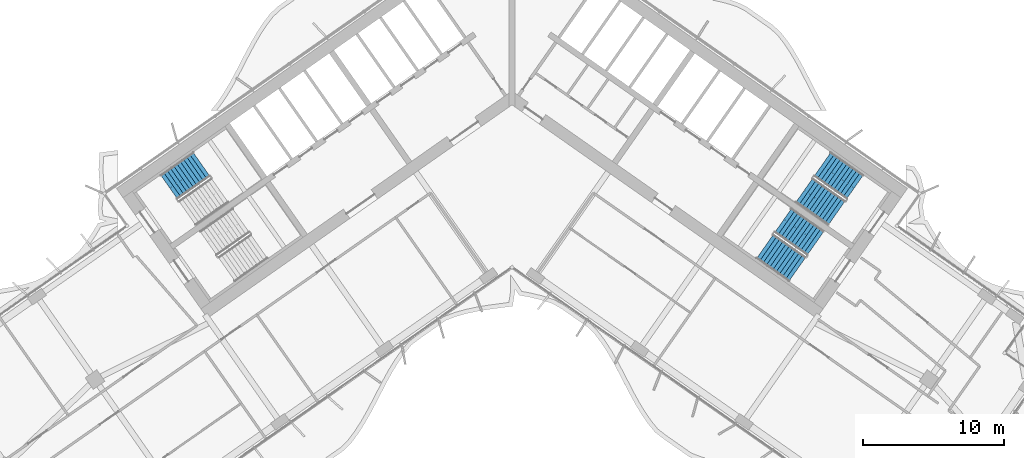
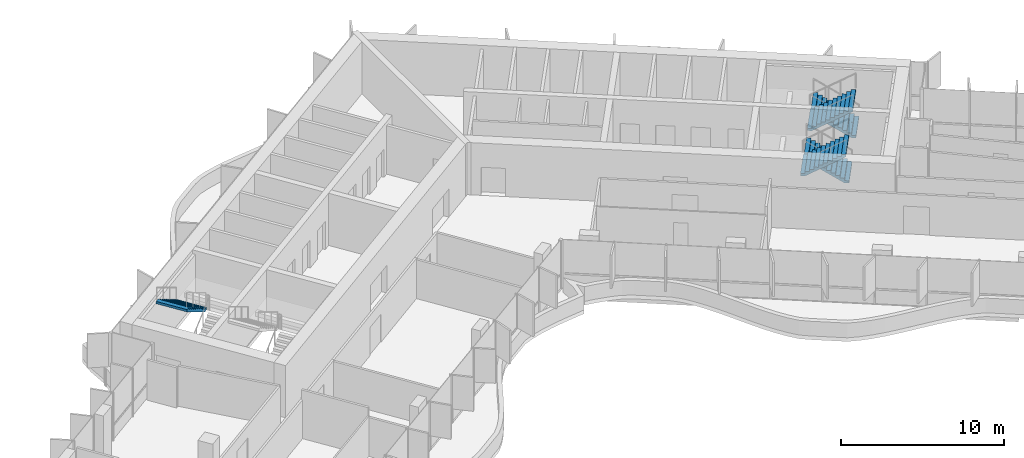
# One storey, part 16 of 21: 5 stair flights, 3 elements without a shape of their own.
"""IFC4 building model written with IfcOpenShell, lengths in metres."""

from ifc_helpers import new_model, si_unit, direction, frame, origin, place, context, subcontext, project, spatial, polyline, outline, extrude, material, type_object, element, aggregate, save


model = new_model("IFC4")

# Units and contexts
model_context = context("Model", 3, precision=1e-05, world=origin(), true_north=direction((0.0, 1.0)))
body_context = subcontext(model_context, "Body", "Model", "MODEL_VIEW")
ifc_project = project(units=[si_unit("LENGTHUNIT", "METRE"), si_unit("AREAUNIT", "SQUARE_METRE"), si_unit("VOLUMEUNIT", "CUBIC_METRE"), si_unit("PLANEANGLEUNIT", "RADIAN"), si_unit("MASSUNIT", "GRAM", prefix="KILO")], contexts=[model_context])

# Site, building, storey
site_placement = place(None, origin())
site = spatial("IfcSite", under=ifc_project, at=site_placement, CompositionType="ELEMENT")
building_placement = place(site_placement, origin())
building = spatial("IfcBuilding", under=site, at=building_placement, Name="Tel Ilan Convention Tower", CompositionType="ELEMENT")
storey_placement = place(building_placement, frame((0.0, 0.0, 147.60009765625)))
storey = spatial("IfcBuildingStorey", under=building, at=storey_placement, Name="L33", CompositionType="ELEMENT", Elevation=147.60009765625)

# Stair, stair flight
ifc_material_1 = material(Name="Concrete C40/50", Category="concrete")
stair_type = type_object("IfcStairType", Name="Pressurised Exit Stair 22 risers 177 mm", PredefinedType="HALF_TURN_STAIR", material=ifc_material_1)
stair_1_placement = place(storey_placement, origin())
stair_1 = element("IfcStair", 1, at=stair_1_placement, inside=storey, type_object=stair_type, Name="L33 Pressurised Stair S1", PredefinedType="HALF_TURN_STAIR")
ifc_material_2 = material(Name="Precast Concrete C40/50", Category="concrete")
stair_flight_type = type_object("IfcStairFlightType", Name="Concrete Stair Flight 2100 mm 22 risers 177 mm", PredefinedType="STRAIGHT", material=ifc_material_2)
stair_flight_1_placement = place(storey_placement, frame((-21.958740234375, -5.42626953125, 1.949951171875), z_axis=(0.0, 0.0, 1.0), x_axis=(-0.819152044289, -0.573576436351, 0.0)))
stair_flight_1 = element("IfcStairFlight", 2, at=stair_flight_1_placement, type_object=stair_flight_type, Name="S1 flight 2", NumberOfRisers=11, NumberOfTreads=10, PredefinedType="STRAIGHT", RiserHeight=0.177272727, TreadLength=0.28, context=body_context, shape_type="SweptSolid", body=[
    extrude(outline(polyline([(0.0, 0.0), (0.0, 0.17724609375), (0.280029296875, 0.17724609375), (0.280029296875, 0.3544921875), (0.56005859375, 0.3544921875), (0.56005859375, 0.53173828125), (0.840087890625, 0.53173828125), (0.840087890625, 0.708984375), (1.1201171875, 0.708984375), (1.1201171875, 0.886474609375), (1.39990234375, 0.886474609375), (1.39990234375, 1.063720703125), (1.679931640625, 1.063720703125), (1.679931640625, 1.240966796875), (1.9599609375, 1.240966796875), (1.9599609375, 1.418212890625), (2.239990234375, 1.418212890625), (2.239990234375, 1.595458984375), (2.52001953125, 1.595458984375), (2.52001953125, 1.772705078125), (2.800048828125, 1.772705078125), (2.800048828125, 1.949951171875), (2.800048828125, 1.59521484375), (0.2802734375, 0.0), (0.0, 0.0)])), frame((0.0, -0.100341796875, 0.0), z_axis=(0.0, -1.0, 0.0), x_axis=(1.0, 0.0, 0.0)), (0.0, 0.0, 1.0), 0.94970703125),
    extrude(outline(polyline([(0.0, 0.0), (0.0, 0.17724609375), (0.280029296875, 0.17724609375), (0.280029296875, 0.3544921875), (0.56005859375, 0.3544921875), (0.56005859375, 0.53173828125), (0.840087890625, 0.53173828125), (0.840087890625, 0.708984375), (1.1201171875, 0.708984375), (1.1201171875, 0.886474609375), (1.39990234375, 0.886474609375), (1.39990234375, 1.063720703125), (1.679931640625, 1.063720703125), (1.679931640625, 1.240966796875), (1.9599609375, 1.240966796875), (1.9599609375, 1.418212890625), (2.239990234375, 1.418212890625), (2.239990234375, 1.595458984375), (2.52001953125, 1.595458984375), (2.52001953125, 1.772705078125), (2.800048828125, 1.772705078125), (2.800048828125, 1.949951171875), (2.800048828125, 1.59521484375), (0.2802734375, 0.0), (0.0, 0.0)])), frame((0.0, -0.000244140625, 0.0), z_axis=(0.0, -1.0, 0.0), x_axis=(1.0, 0.0, 0.0)), (0.0, 0.0, 1.0), 0.099609375),
    extrude(outline(polyline([(0.0, 0.0), (0.0, 0.17724609375), (0.280029296875, 0.17724609375), (0.280029296875, 0.3544921875), (0.56005859375, 0.3544921875), (0.56005859375, 0.53173828125), (0.840087890625, 0.53173828125), (0.840087890625, 0.708984375), (1.1201171875, 0.708984375), (1.1201171875, 0.886474609375), (1.39990234375, 0.886474609375), (1.39990234375, 1.063720703125), (1.679931640625, 1.063720703125), (1.679931640625, 1.240966796875), (1.9599609375, 1.240966796875), (1.9599609375, 1.418212890625), (2.239990234375, 1.418212890625), (2.239990234375, 1.595458984375), (2.52001953125, 1.595458984375), (2.52001953125, 1.772705078125), (2.800048828125, 1.772705078125), (2.800048828125, 1.949951171875), (2.800048828125, 1.59521484375), (0.2802734375, 0.0), (0.0, 0.0)])), frame((0.0, 0.099853515625, 0.0), z_axis=(0.0, -1.0, 0.0), x_axis=(1.0, 0.0, 0.0)), (0.0, 0.0, 1.0), 0.099609375),
    extrude(outline(polyline([(0.0, 0.0), (0.0, 0.17724609375), (0.280029296875, 0.17724609375), (0.280029296875, 0.3544921875), (0.56005859375, 0.3544921875), (0.56005859375, 0.53173828125), (0.840087890625, 0.53173828125), (0.840087890625, 0.708984375), (1.1201171875, 0.708984375), (1.1201171875, 0.886474609375), (1.39990234375, 0.886474609375), (1.39990234375, 1.063720703125), (1.679931640625, 1.063720703125), (1.679931640625, 1.240966796875), (1.9599609375, 1.240966796875), (1.9599609375, 1.418212890625), (2.239990234375, 1.418212890625), (2.239990234375, 1.595458984375), (2.52001953125, 1.595458984375), (2.52001953125, 1.772705078125), (2.800048828125, 1.772705078125), (2.800048828125, 1.949951171875), (2.800048828125, 1.59521484375), (0.2802734375, 0.0), (0.0, 0.0)])), frame((0.0, 1.050048828125, 0.0), z_axis=(0.0, -1.0, 0.0), x_axis=(1.0, 0.0, 0.0)), (0.0, 0.0, 1.0), 0.94970703125),
])
aggregate(stair_1, [stair_flight_1])

# Stair, stair flights
stair_2_placement = place(storey_placement, origin())
stair_2 = element("IfcStair", 3, at=stair_2_placement, inside=storey, type_object=stair_type, Name="L33 Pressurised Stair S3", PredefinedType="HALF_TURN_STAIR")
stair_flight_2_placement = place(storey_placement, frame((24.25244140625, -7.032470703125, 0.0), z_axis=(0.0, 0.0, 1.0), x_axis=(-0.819152044289, 0.573576436351, 0.0)))
stair_flight_2 = element("IfcStairFlight", 4, at=stair_flight_2_placement, type_object=stair_flight_type, Name="S3 flight 1", NumberOfRisers=11, NumberOfTreads=10, PredefinedType="STRAIGHT", RiserHeight=0.177272727, TreadLength=0.28, context=body_context, shape_type="SweptSolid", body=[
    extrude(outline(polyline([(0.0, 0.0), (0.0, 0.17724609375), (0.280029296875, 0.17724609375), (0.280029296875, 0.3544921875), (0.56005859375, 0.3544921875), (0.56005859375, 0.53173828125), (0.840087890625, 0.53173828125), (0.840087890625, 0.708984375), (1.1201171875, 0.708984375), (1.1201171875, 0.886474609375), (1.39990234375, 0.886474609375), (1.39990234375, 1.063720703125), (1.679931640625, 1.063720703125), (1.679931640625, 1.240966796875), (1.9599609375, 1.240966796875), (1.9599609375, 1.418212890625), (2.239990234375, 1.418212890625), (2.239990234375, 1.595458984375), (2.52001953125, 1.595458984375), (2.52001953125, 1.772705078125), (2.800048828125, 1.772705078125), (2.800048828125, 1.949951171875), (2.800048828125, 1.59521484375), (0.2802734375, 0.0), (0.0, 0.0)])), frame((0.0, -0.100341796875, 0.0), z_axis=(0.0, -1.0, 0.0), x_axis=(1.0, 0.0, 0.0)), (0.0, 0.0, 1.0), 0.94970703125),
    extrude(outline(polyline([(0.0, 0.0), (0.0, 0.17724609375), (0.280029296875, 0.17724609375), (0.280029296875, 0.3544921875), (0.56005859375, 0.3544921875), (0.56005859375, 0.53173828125), (0.840087890625, 0.53173828125), (0.840087890625, 0.708984375), (1.1201171875, 0.708984375), (1.1201171875, 0.886474609375), (1.39990234375, 0.886474609375), (1.39990234375, 1.063720703125), (1.679931640625, 1.063720703125), (1.679931640625, 1.240966796875), (1.9599609375, 1.240966796875), (1.9599609375, 1.418212890625), (2.239990234375, 1.418212890625), (2.239990234375, 1.595458984375), (2.52001953125, 1.595458984375), (2.52001953125, 1.772705078125), (2.800048828125, 1.772705078125), (2.800048828125, 1.949951171875), (2.800048828125, 1.59521484375), (0.2802734375, 0.0), (0.0, 0.0)])), frame((0.0, -0.000244140625, 0.0), z_axis=(0.0, -1.0, 0.0), x_axis=(1.0, 0.0, 0.0)), (0.0, 0.0, 1.0), 0.099609375),
    extrude(outline(polyline([(0.0, 0.0), (0.0, 0.17724609375), (0.280029296875, 0.17724609375), (0.280029296875, 0.3544921875), (0.56005859375, 0.3544921875), (0.56005859375, 0.53173828125), (0.840087890625, 0.53173828125), (0.840087890625, 0.708984375), (1.1201171875, 0.708984375), (1.1201171875, 0.886474609375), (1.39990234375, 0.886474609375), (1.39990234375, 1.063720703125), (1.679931640625, 1.063720703125), (1.679931640625, 1.240966796875), (1.9599609375, 1.240966796875), (1.9599609375, 1.418212890625), (2.239990234375, 1.418212890625), (2.239990234375, 1.595458984375), (2.52001953125, 1.595458984375), (2.52001953125, 1.772705078125), (2.800048828125, 1.772705078125), (2.800048828125, 1.949951171875), (2.800048828125, 1.59521484375), (0.2802734375, 0.0), (0.0, 0.0)])), frame((0.0, 0.099853515625, 0.0), z_axis=(0.0, -1.0, 0.0), x_axis=(1.0, 0.0, 0.0)), (0.0, 0.0, 1.0), 0.099609375),
    extrude(outline(polyline([(0.0, 0.0), (0.0, 0.17724609375), (0.280029296875, 0.17724609375), (0.280029296875, 0.3544921875), (0.56005859375, 0.3544921875), (0.56005859375, 0.53173828125), (0.840087890625, 0.53173828125), (0.840087890625, 0.708984375), (1.1201171875, 0.708984375), (1.1201171875, 0.886474609375), (1.39990234375, 0.886474609375), (1.39990234375, 1.063720703125), (1.679931640625, 1.063720703125), (1.679931640625, 1.240966796875), (1.9599609375, 1.240966796875), (1.9599609375, 1.418212890625), (2.239990234375, 1.418212890625), (2.239990234375, 1.595458984375), (2.52001953125, 1.595458984375), (2.52001953125, 1.772705078125), (2.800048828125, 1.772705078125), (2.800048828125, 1.949951171875), (2.800048828125, 1.59521484375), (0.2802734375, 0.0), (0.0, 0.0)])), frame((0.0, 1.050048828125, 0.0), z_axis=(0.0, -1.0, 0.0), x_axis=(1.0, 0.0, 0.0)), (0.0, 0.0, 1.0), 0.94970703125),
])
stair_flight_3_placement = place(storey_placement, frame((20.668212890625, -7.26953125, 1.949951171875), z_axis=(0.0, 0.0, 1.0), x_axis=(0.819152044289, -0.573576436351, 0.0)))
stair_flight_3 = element("IfcStairFlight", 5, at=stair_flight_3_placement, type_object=stair_flight_type, Name="S3 flight 2", NumberOfRisers=11, NumberOfTreads=10, PredefinedType="STRAIGHT", RiserHeight=0.177272727, TreadLength=0.28, context=body_context, shape_type="SweptSolid", body=[
    extrude(outline(polyline([(0.0, 0.0), (0.0, 0.17724609375), (0.280029296875, 0.17724609375), (0.280029296875, 0.3544921875), (0.56005859375, 0.3544921875), (0.56005859375, 0.53173828125), (0.840087890625, 0.53173828125), (0.840087890625, 0.708984375), (1.1201171875, 0.708984375), (1.1201171875, 0.886474609375), (1.39990234375, 0.886474609375), (1.39990234375, 1.063720703125), (1.679931640625, 1.063720703125), (1.679931640625, 1.240966796875), (1.9599609375, 1.240966796875), (1.9599609375, 1.418212890625), (2.239990234375, 1.418212890625), (2.239990234375, 1.595458984375), (2.52001953125, 1.595458984375), (2.52001953125, 1.772705078125), (2.800048828125, 1.772705078125), (2.800048828125, 1.949951171875), (2.800048828125, 1.59521484375), (0.2802734375, 0.0), (0.0, 0.0)])), frame((0.0, -0.100341796875, 0.0), z_axis=(0.0, -1.0, 0.0), x_axis=(1.0, 0.0, 0.0)), (0.0, 0.0, 1.0), 0.94970703125),
    extrude(outline(polyline([(0.0, 0.0), (0.0, 0.17724609375), (0.280029296875, 0.17724609375), (0.280029296875, 0.3544921875), (0.56005859375, 0.3544921875), (0.56005859375, 0.53173828125), (0.840087890625, 0.53173828125), (0.840087890625, 0.708984375), (1.1201171875, 0.708984375), (1.1201171875, 0.886474609375), (1.39990234375, 0.886474609375), (1.39990234375, 1.063720703125), (1.679931640625, 1.063720703125), (1.679931640625, 1.240966796875), (1.9599609375, 1.240966796875), (1.9599609375, 1.418212890625), (2.239990234375, 1.418212890625), (2.239990234375, 1.595458984375), (2.52001953125, 1.595458984375), (2.52001953125, 1.772705078125), (2.800048828125, 1.772705078125), (2.800048828125, 1.949951171875), (2.800048828125, 1.59521484375), (0.2802734375, 0.0), (0.0, 0.0)])), frame((0.0, -0.000244140625, 0.0), z_axis=(0.0, -1.0, 0.0), x_axis=(1.0, 0.0, 0.0)), (0.0, 0.0, 1.0), 0.099609375),
    extrude(outline(polyline([(0.0, 0.0), (0.0, 0.17724609375), (0.280029296875, 0.17724609375), (0.280029296875, 0.3544921875), (0.56005859375, 0.3544921875), (0.56005859375, 0.53173828125), (0.840087890625, 0.53173828125), (0.840087890625, 0.708984375), (1.1201171875, 0.708984375), (1.1201171875, 0.886474609375), (1.39990234375, 0.886474609375), (1.39990234375, 1.063720703125), (1.679931640625, 1.063720703125), (1.679931640625, 1.240966796875), (1.9599609375, 1.240966796875), (1.9599609375, 1.418212890625), (2.239990234375, 1.418212890625), (2.239990234375, 1.595458984375), (2.52001953125, 1.595458984375), (2.52001953125, 1.772705078125), (2.800048828125, 1.772705078125), (2.800048828125, 1.949951171875), (2.800048828125, 1.59521484375), (0.2802734375, 0.0), (0.0, 0.0)])), frame((0.0, 0.099853515625, 0.0), z_axis=(0.0, -1.0, 0.0), x_axis=(1.0, 0.0, 0.0)), (0.0, 0.0, 1.0), 0.099609375),
    extrude(outline(polyline([(0.0, 0.0), (0.0, 0.17724609375), (0.280029296875, 0.17724609375), (0.280029296875, 0.3544921875), (0.56005859375, 0.3544921875), (0.56005859375, 0.53173828125), (0.840087890625, 0.53173828125), (0.840087890625, 0.708984375), (1.1201171875, 0.708984375), (1.1201171875, 0.886474609375), (1.39990234375, 0.886474609375), (1.39990234375, 1.063720703125), (1.679931640625, 1.063720703125), (1.679931640625, 1.240966796875), (1.9599609375, 1.240966796875), (1.9599609375, 1.418212890625), (2.239990234375, 1.418212890625), (2.239990234375, 1.595458984375), (2.52001953125, 1.595458984375), (2.52001953125, 1.772705078125), (2.800048828125, 1.772705078125), (2.800048828125, 1.949951171875), (2.800048828125, 1.59521484375), (0.2802734375, 0.0), (0.0, 0.0)])), frame((0.0, 1.050048828125, 0.0), z_axis=(0.0, -1.0, 0.0), x_axis=(1.0, 0.0, 0.0)), (0.0, 0.0, 1.0), 0.94970703125),
])
aggregate(stair_2, [stair_flight_2, stair_flight_3])

stair_3_placement = place(storey_placement, origin())
stair_3 = element("IfcStair", 6, at=stair_3_placement, inside=storey, type_object=stair_type, Name="L33 Pressurised Stair S4", PredefinedType="HALF_TURN_STAIR")
stair_flight_4_placement = place(storey_placement, frame((21.470458984375, -11.00537109375, 0.0), z_axis=(0.0, 0.0, 1.0), x_axis=(-0.819152044289, 0.573576436351, 0.0)))
stair_flight_4 = element("IfcStairFlight", 7, at=stair_flight_4_placement, type_object=stair_flight_type, Name="S4 flight 1", NumberOfRisers=11, NumberOfTreads=10, PredefinedType="STRAIGHT", RiserHeight=0.177272727, TreadLength=0.28, context=body_context, shape_type="SweptSolid", body=[
    extrude(outline(polyline([(0.0, 0.0), (0.0, 0.17724609375), (0.280029296875, 0.17724609375), (0.280029296875, 0.3544921875), (0.56005859375, 0.3544921875), (0.56005859375, 0.53173828125), (0.840087890625, 0.53173828125), (0.840087890625, 0.708984375), (1.1201171875, 0.708984375), (1.1201171875, 0.886474609375), (1.39990234375, 0.886474609375), (1.39990234375, 1.063720703125), (1.679931640625, 1.063720703125), (1.679931640625, 1.240966796875), (1.9599609375, 1.240966796875), (1.9599609375, 1.418212890625), (2.239990234375, 1.418212890625), (2.239990234375, 1.595458984375), (2.52001953125, 1.595458984375), (2.52001953125, 1.772705078125), (2.800048828125, 1.772705078125), (2.800048828125, 1.949951171875), (2.800048828125, 1.59521484375), (0.2802734375, 0.0), (0.0, 0.0)])), frame((0.0, -0.100341796875, 0.0), z_axis=(0.0, -1.0, 0.0), x_axis=(1.0, 0.0, 0.0)), (0.0, 0.0, 1.0), 0.94970703125),
    extrude(outline(polyline([(0.0, 0.0), (0.0, 0.17724609375), (0.280029296875, 0.17724609375), (0.280029296875, 0.3544921875), (0.56005859375, 0.3544921875), (0.56005859375, 0.53173828125), (0.840087890625, 0.53173828125), (0.840087890625, 0.708984375), (1.1201171875, 0.708984375), (1.1201171875, 0.886474609375), (1.39990234375, 0.886474609375), (1.39990234375, 1.063720703125), (1.679931640625, 1.063720703125), (1.679931640625, 1.240966796875), (1.9599609375, 1.240966796875), (1.9599609375, 1.418212890625), (2.239990234375, 1.418212890625), (2.239990234375, 1.595458984375), (2.52001953125, 1.595458984375), (2.52001953125, 1.772705078125), (2.800048828125, 1.772705078125), (2.800048828125, 1.949951171875), (2.800048828125, 1.59521484375), (0.2802734375, 0.0), (0.0, 0.0)])), frame((0.0, -0.000244140625, 0.0), z_axis=(0.0, -1.0, 0.0), x_axis=(1.0, 0.0, 0.0)), (0.0, 0.0, 1.0), 0.099609375),
    extrude(outline(polyline([(0.0, 0.0), (0.0, 0.17724609375), (0.280029296875, 0.17724609375), (0.280029296875, 0.3544921875), (0.56005859375, 0.3544921875), (0.56005859375, 0.53173828125), (0.840087890625, 0.53173828125), (0.840087890625, 0.708984375), (1.1201171875, 0.708984375), (1.1201171875, 0.886474609375), (1.39990234375, 0.886474609375), (1.39990234375, 1.063720703125), (1.679931640625, 1.063720703125), (1.679931640625, 1.240966796875), (1.9599609375, 1.240966796875), (1.9599609375, 1.418212890625), (2.239990234375, 1.418212890625), (2.239990234375, 1.595458984375), (2.52001953125, 1.595458984375), (2.52001953125, 1.772705078125), (2.800048828125, 1.772705078125), (2.800048828125, 1.949951171875), (2.800048828125, 1.59521484375), (0.2802734375, 0.0), (0.0, 0.0)])), frame((0.0, 0.099853515625, 0.0), z_axis=(0.0, -1.0, 0.0), x_axis=(1.0, 0.0, 0.0)), (0.0, 0.0, 1.0), 0.099609375),
    extrude(outline(polyline([(0.0, 0.0), (0.0, 0.17724609375), (0.280029296875, 0.17724609375), (0.280029296875, 0.3544921875), (0.56005859375, 0.3544921875), (0.56005859375, 0.53173828125), (0.840087890625, 0.53173828125), (0.840087890625, 0.708984375), (1.1201171875, 0.708984375), (1.1201171875, 0.886474609375), (1.39990234375, 0.886474609375), (1.39990234375, 1.063720703125), (1.679931640625, 1.063720703125), (1.679931640625, 1.240966796875), (1.9599609375, 1.240966796875), (1.9599609375, 1.418212890625), (2.239990234375, 1.418212890625), (2.239990234375, 1.595458984375), (2.52001953125, 1.595458984375), (2.52001953125, 1.772705078125), (2.800048828125, 1.772705078125), (2.800048828125, 1.949951171875), (2.800048828125, 1.59521484375), (0.2802734375, 0.0), (0.0, 0.0)])), frame((0.0, 1.050048828125, 0.0), z_axis=(0.0, -1.0, 0.0), x_axis=(1.0, 0.0, 0.0)), (0.0, 0.0, 1.0), 0.94970703125),
])
stair_flight_5_placement = place(storey_placement, frame((17.886474609375, -11.242431640625, 1.949951171875), z_axis=(0.0, 0.0, 1.0), x_axis=(0.819152044289, -0.573576436351, 0.0)))
stair_flight_5 = element("IfcStairFlight", 8, at=stair_flight_5_placement, type_object=stair_flight_type, Name="S4 flight 2", NumberOfRisers=11, NumberOfTreads=10, PredefinedType="STRAIGHT", RiserHeight=0.177272727, TreadLength=0.28, context=body_context, shape_type="SweptSolid", body=[
    extrude(outline(polyline([(0.0, 0.0), (0.0, 0.17724609375), (0.280029296875, 0.17724609375), (0.280029296875, 0.3544921875), (0.56005859375, 0.3544921875), (0.56005859375, 0.53173828125), (0.840087890625, 0.53173828125), (0.840087890625, 0.708984375), (1.1201171875, 0.708984375), (1.1201171875, 0.886474609375), (1.39990234375, 0.886474609375), (1.39990234375, 1.063720703125), (1.679931640625, 1.063720703125), (1.679931640625, 1.240966796875), (1.9599609375, 1.240966796875), (1.9599609375, 1.418212890625), (2.239990234375, 1.418212890625), (2.239990234375, 1.595458984375), (2.52001953125, 1.595458984375), (2.52001953125, 1.772705078125), (2.800048828125, 1.772705078125), (2.800048828125, 1.949951171875), (2.800048828125, 1.59521484375), (0.2802734375, 0.0), (0.0, 0.0)])), frame((0.0, -0.100341796875, 0.0), z_axis=(0.0, -1.0, 0.0), x_axis=(1.0, 0.0, 0.0)), (0.0, 0.0, 1.0), 0.94970703125),
    extrude(outline(polyline([(0.0, 0.0), (0.0, 0.17724609375), (0.280029296875, 0.17724609375), (0.280029296875, 0.3544921875), (0.56005859375, 0.3544921875), (0.56005859375, 0.53173828125), (0.840087890625, 0.53173828125), (0.840087890625, 0.708984375), (1.1201171875, 0.708984375), (1.1201171875, 0.886474609375), (1.39990234375, 0.886474609375), (1.39990234375, 1.063720703125), (1.679931640625, 1.063720703125), (1.679931640625, 1.240966796875), (1.9599609375, 1.240966796875), (1.9599609375, 1.418212890625), (2.239990234375, 1.418212890625), (2.239990234375, 1.595458984375), (2.52001953125, 1.595458984375), (2.52001953125, 1.772705078125), (2.800048828125, 1.772705078125), (2.800048828125, 1.949951171875), (2.800048828125, 1.59521484375), (0.2802734375, 0.0), (0.0, 0.0)])), frame((0.0, -0.000244140625, 0.0), z_axis=(0.0, -1.0, 0.0), x_axis=(1.0, 0.0, 0.0)), (0.0, 0.0, 1.0), 0.099609375),
    extrude(outline(polyline([(0.0, 0.0), (0.0, 0.17724609375), (0.280029296875, 0.17724609375), (0.280029296875, 0.3544921875), (0.56005859375, 0.3544921875), (0.56005859375, 0.53173828125), (0.840087890625, 0.53173828125), (0.840087890625, 0.708984375), (1.1201171875, 0.708984375), (1.1201171875, 0.886474609375), (1.39990234375, 0.886474609375), (1.39990234375, 1.063720703125), (1.679931640625, 1.063720703125), (1.679931640625, 1.240966796875), (1.9599609375, 1.240966796875), (1.9599609375, 1.418212890625), (2.239990234375, 1.418212890625), (2.239990234375, 1.595458984375), (2.52001953125, 1.595458984375), (2.52001953125, 1.772705078125), (2.800048828125, 1.772705078125), (2.800048828125, 1.949951171875), (2.800048828125, 1.59521484375), (0.2802734375, 0.0), (0.0, 0.0)])), frame((0.0, 0.099853515625, 0.0), z_axis=(0.0, -1.0, 0.0), x_axis=(1.0, 0.0, 0.0)), (0.0, 0.0, 1.0), 0.099609375),
    extrude(outline(polyline([(0.0, 0.0), (0.0, 0.17724609375), (0.280029296875, 0.17724609375), (0.280029296875, 0.3544921875), (0.56005859375, 0.3544921875), (0.56005859375, 0.53173828125), (0.840087890625, 0.53173828125), (0.840087890625, 0.708984375), (1.1201171875, 0.708984375), (1.1201171875, 0.886474609375), (1.39990234375, 0.886474609375), (1.39990234375, 1.063720703125), (1.679931640625, 1.063720703125), (1.679931640625, 1.240966796875), (1.9599609375, 1.240966796875), (1.9599609375, 1.418212890625), (2.239990234375, 1.418212890625), (2.239990234375, 1.595458984375), (2.52001953125, 1.595458984375), (2.52001953125, 1.772705078125), (2.800048828125, 1.772705078125), (2.800048828125, 1.949951171875), (2.800048828125, 1.59521484375), (0.2802734375, 0.0), (0.0, 0.0)])), frame((0.0, 1.050048828125, 0.0), z_axis=(0.0, -1.0, 0.0), x_axis=(1.0, 0.0, 0.0)), (0.0, 0.0, 1.0), 0.94970703125),
])
aggregate(stair_3, [stair_flight_4, stair_flight_5])

save(model, "model.ifc")
